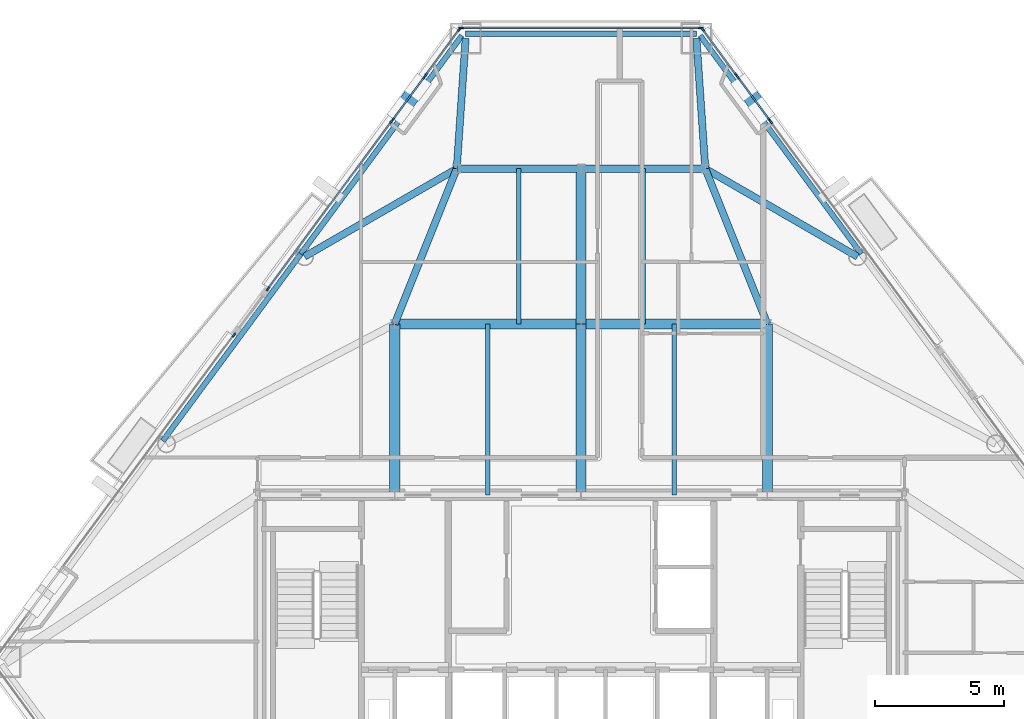
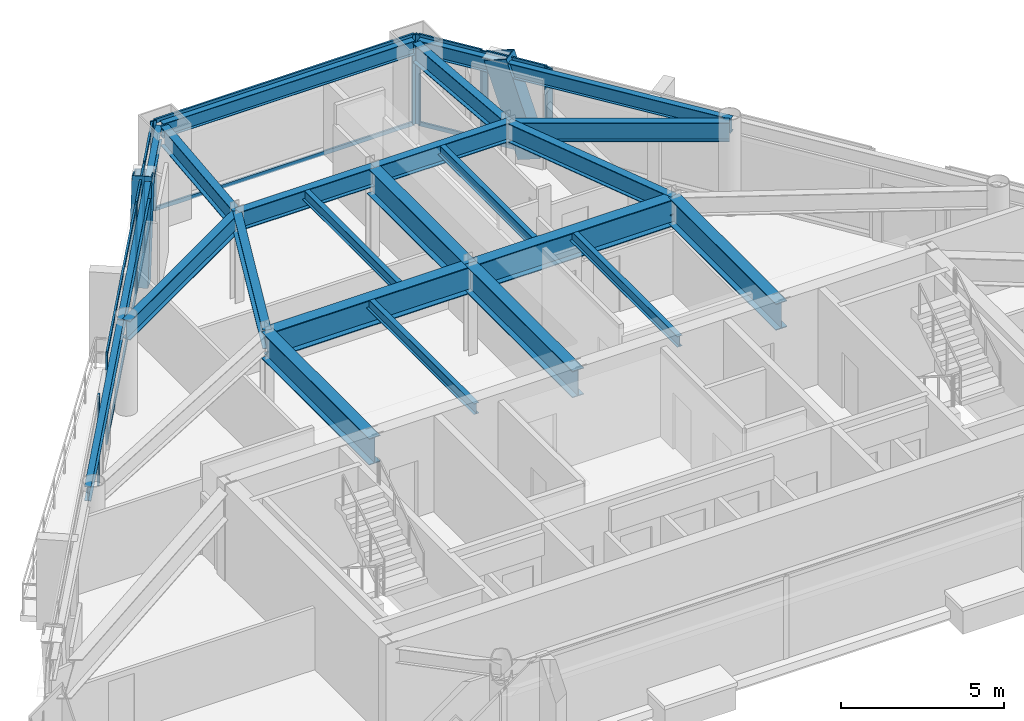
# One storey, part 4 of 11: 28 members, 22 beams, 8 elements without a shape of their own.
"""IFC4 building model written with IfcOpenShell, lengths in metres."""

from ifc_helpers import new_model, si_unit, direction, frame, origin, origin_2d, place, context, subcontext, project, spatial, rectangle, hollow_rectangle, i_section, extrude, material, layer, layer_set, material_profile, profile_set, type_object, element, aggregate, save


model = new_model("IFC4")

# Units and contexts
model_context = context("Model", 3, precision=1e-05, world=origin(), true_north=direction((0.0, 1.0)))
body_context = subcontext(model_context, "Body", "Model", "MODEL_VIEW")
ifc_project = project(units=[si_unit("LENGTHUNIT", "METRE"), si_unit("AREAUNIT", "SQUARE_METRE"), si_unit("VOLUMEUNIT", "CUBIC_METRE"), si_unit("PLANEANGLEUNIT", "RADIAN"), si_unit("MASSUNIT", "GRAM", prefix="KILO")], contexts=[model_context])

# Site, building, storey
site_placement = place(None, origin())
site = spatial("IfcSite", under=ifc_project, at=site_placement, CompositionType="ELEMENT")
building_placement = place(site_placement, origin())
building = spatial("IfcBuilding", under=site, at=building_placement, Name="Talgorran Terracotta Tower", CompositionType="ELEMENT")
storey_placement = place(building_placement, frame((0.0, 0.0, 161.699951171875)))
storey = spatial("IfcBuildingStorey", under=building, at=storey_placement, Name="L42", CompositionType="ELEMENT", Elevation=161.699951171875)

# Beams
ifc_material_1 = material(Name="Steel Grade 350 (350L0)", Category="steel")
ifc_material_profile_1 = material_profile(ifc_material_1, i_section(OverallWidth=0.39990234375, OverallDepth=1.0, WebThickness=0.01611328125, FlangeThickness=0.031005859375, at=origin_2d()), Name="1000WB296")
ifc_profile_set_1 = profile_set([ifc_material_profile_1], Name="Steel Grade 350 (350L0)")
beam_type_1 = type_object("IfcBeamType", Name="BM_1000WB296", PredefinedType="BEAM", material=ifc_profile_set_1)
for number, where, z_axis, x_axis, name in (
    (1, (-7.199951171875, -4.199951171875, 2.85009765625), (0.0, 1.0, 0.0), (-1.0, 0.0, 0.0), "L42 Floor Girder G01"),
    (2, (0.0, -4.199951171875, 2.85009765625), (0.0, 1.0, 0.0), (-1.0, 0.0, 0.0), "L42 Floor Girder G02"),
    (3, (7.199951171875, -4.199951171875, 2.85009765625), (0.0, 1.0, 0.0), (-1.0, 0.0, 0.0), "L42 Floor Girder G03"),
):
    element("IfcBeam", number, at=place(storey_placement, frame(where, z_axis=z_axis, x_axis=x_axis)), inside=storey, type_object=beam_type_1, Name=name, PredefinedType="BEAM", context=body_context, shape_type="SweptSolid", body=[
        extrude(i_section(OverallWidth=0.39990234375, OverallDepth=1.0, WebThickness=0.01611328125, FlangeThickness=0.031005859375, at=origin_2d()), origin(), (0.0, 0.0, 1.0), 6.599853515625),
    ])
for number, where, z_axis, x_axis, name in (
    (4, (-7.199951171875, 2.39990234375, 2.85009765625), (1.0, 0.0, 0.0), (0.0, 1.0, 0.0), "L42 Floor Girder G04"),
    (5, (0.0, 2.39990234375, 2.85009765625), (1.0, 0.0, 0.0), (0.0, 1.0, 0.0), "L42 Floor Girder G05"),
):
    element("IfcBeam", number, at=place(storey_placement, frame(where, z_axis=z_axis, x_axis=x_axis)), inside=storey, type_object=beam_type_1, Name=name, PredefinedType="BEAM", context=body_context, shape_type="SweptSolid", body=[
        extrude(i_section(OverallWidth=0.39990234375, OverallDepth=1.0, WebThickness=0.01611328125, FlangeThickness=0.031005859375, at=origin_2d()), origin(), (0.0, 0.0, 1.0), 7.199951171875),
    ])
beam_1_placement = place(storey_placement, frame((0.0, 2.39990234375, 2.85009765625), z_axis=(0.0, 1.0, 0.0), x_axis=(-1.0, 0.0, 0.0)))
element("IfcBeam", 6, at=beam_1_placement, inside=storey, type_object=beam_type_1, Name="L42 Floor Girder G09", PredefinedType="BEAM", context=body_context, shape_type="SweptSolid", body=[
    extrude(i_section(OverallWidth=0.39990234375, OverallDepth=1.0, WebThickness=0.01611328125, FlangeThickness=0.031005859375, at=origin_2d()), origin(), (0.0, 0.0, 1.0), 6.0),
])
ifc_material_2 = material(Name="Steel S355 (300PLUS)", Category="steel")
ifc_material_profile_2 = material_profile(ifc_material_2, i_section(OverallWidth=0.27490234375, OverallDepth=0.7080078125, WebThickness=0.011962890625, FlangeThickness=0.02490234375, at=origin_2d()), Name="700WB173")
ifc_profile_set_2 = profile_set([ifc_material_profile_2], Name="Steel S355 (300PLUS)")
beam_type_2 = type_object("IfcBeamType", Name="BM_700WB173", PredefinedType="BEAM", material=ifc_profile_set_2)
for number, where, z_axis, x_axis, name in (
    (7, (-7.199951171875, 2.39990234375, 2.99609375), (0.371377648723, 0.928481901832, 0.0), (-0.928481901832, 0.371377648723, 0.0), "L42 Floor Girder G08"),
    (8, (7.199951171875, 2.39990234375, 2.99609375), (-0.371377648723, 0.928481901832, 0.0), (-0.928481901832, -0.371377648723, 0.0), "L42 Floor Girder G10"),
):
    element("IfcBeam", number, at=place(storey_placement, frame(where, z_axis=z_axis, x_axis=x_axis)), inside=storey, type_object=beam_type_2, Name=name, PredefinedType="BEAM", context=body_context, shape_type="SweptSolid", body=[
        extrude(i_section(OverallWidth=0.27490234375, OverallDepth=0.7080078125, WebThickness=0.011962890625, FlangeThickness=0.02490234375, at=origin_2d()), origin(), (0.0, 0.0, 1.0), 6.462158203125),
    ])
for number, where, z_axis, x_axis, name in (
    (9, (-4.800048828125, 8.39990234375, 2.99609375), (1.0, 0.0, 0.0), (0.0, 1.0, 0.0), "L42 Floor Girder G11"),
    (10, (0.0, 8.39990234375, 2.99609375), (1.0, 0.0, 0.0), (0.0, 1.0, 0.0), "L42 Floor Girder G12"),
):
    element("IfcBeam", number, at=place(storey_placement, frame(where, z_axis=z_axis, x_axis=x_axis)), inside=storey, type_object=beam_type_2, Name=name, PredefinedType="BEAM", context=body_context, shape_type="SweptSolid", body=[
        extrude(i_section(OverallWidth=0.27490234375, OverallDepth=0.7080078125, WebThickness=0.011962890625, FlangeThickness=0.02490234375, at=origin_2d()), origin(), (0.0, 0.0, 1.0), 4.800048828125),
    ])
for number, where, z_axis, x_axis, name in (
    (11, (-4.800048828125, 8.39990234375, 2.99609375), (-0.865887916747, -0.500238058959, 0.0), (0.500238058959, -0.865887916747, 0.0), "L42 Floor Girder G13"),
    (12, (4.800048828125, 8.39990234375, 2.99609375), (0.865887916747, -0.500238058959, 0.0), (0.500238058959, 0.865887916747, 0.0), "L42 Floor Girder G14"),
):
    element("IfcBeam", number, at=place(storey_placement, frame(where, z_axis=z_axis, x_axis=x_axis)), inside=storey, type_object=beam_type_2, Name=name, PredefinedType="BEAM", context=body_context, shape_type="SweptSolid", body=[
        extrude(i_section(OverallWidth=0.27490234375, OverallDepth=0.7080078125, WebThickness=0.011962890625, FlangeThickness=0.02490234375, at=origin_2d()), origin(), (0.0, 0.0, 1.0), 6.789794921875),
    ])
for number, where, z_axis, x_axis, name in (
    (13, (-4.800048828125, 8.39990234375, 2.99609375), (0.067973543266, 0.99768712401, 0.0), (-0.99768712401, 0.067973543266, 0.0), "L42 Floor Girder G15"),
    (14, (4.800048828125, 8.39990234375, 2.99609375), (-0.067973543266, 0.99768712401, 0.0), (-0.99768712401, -0.067973543266, 0.0), "L42 Floor Girder G16"),
):
    element("IfcBeam", number, at=place(storey_placement, frame(where, z_axis=z_axis, x_axis=x_axis)), inside=storey, type_object=beam_type_2, Name=name, PredefinedType="BEAM", context=body_context, shape_type="SweptSolid", body=[
        extrude(i_section(OverallWidth=0.27490234375, OverallDepth=0.7080078125, WebThickness=0.011962890625, FlangeThickness=0.02490234375, at=origin_2d()), origin(), (0.0, 0.0, 1.0), 5.04638671875),
    ])
ifc_material_profile_3 = material_profile(ifc_material_2, i_section(OverallWidth=0.177734375, OverallDepth=0.406494140625, WebThickness=0.0078125, FlangeThickness=0.0126953125, at=origin_2d()), Name="410UB59.7")
ifc_profile_set_3 = profile_set([ifc_material_profile_3], Name="Steel S355 (300PLUS)")
beam_type_3 = type_object("IfcBeamType", Name="BM_JS_410UB60", PredefinedType="JOIST", material=ifc_profile_set_3)
for number, where, z_axis, x_axis, name in (
    (15, (-3.60009765625, -4.199951171875, 3.146728515625), (0.0, 1.0, 0.0), (-1.0, 0.0, 0.0), "L42 Secondary Joist J01"),
    (16, (3.60009765625, -4.199951171875, 3.146728515625), (0.0, 1.0, 0.0), (-1.0, 0.0, 0.0), "L42 Secondary Joist J02"),
):
    element("IfcBeam", number, at=place(storey_placement, frame(where, z_axis=z_axis, x_axis=x_axis)), inside=storey, type_object=beam_type_3, Name=name, PredefinedType="JOIST", context=body_context, shape_type="SweptSolid", body=[
        extrude(i_section(OverallWidth=0.177734375, OverallDepth=0.406494140625, WebThickness=0.0078125, FlangeThickness=0.0126953125, at=origin_2d()), origin(), (0.0, 0.0, 1.0), 6.599853515625),
    ])
for number, where, z_axis, x_axis, name in (
    (17, (-2.39990234375, 2.39990234375, 3.146728515625), (0.0, 1.0, 0.0), (-1.0, 0.0, 0.0), "L42 Secondary Joist J03"),
    (18, (2.39990234375, 2.39990234375, 3.146728515625), (0.0, 1.0, 0.0), (-1.0, 0.0, 0.0), "L42 Secondary Joist J04"),
):
    element("IfcBeam", number, at=place(storey_placement, frame(where, z_axis=z_axis, x_axis=x_axis)), inside=storey, type_object=beam_type_3, Name=name, PredefinedType="JOIST", context=body_context, shape_type="SweptSolid", body=[
        extrude(i_section(OverallWidth=0.177734375, OverallDepth=0.406494140625, WebThickness=0.0078125, FlangeThickness=0.0126953125, at=origin_2d()), origin(), (0.0, 0.0, 1.0), 6.0),
    ])
ifc_material_profile_4 = material_profile(ifc_material_2, i_section(OverallWidth=0.209228515625, OverallDepth=0.532958984375, WebThickness=0.01025390625, FlangeThickness=0.015625, at=origin_2d()), Name="530UB92.4")
ifc_profile_set_4 = profile_set([ifc_material_profile_4], Name="Steel S355 (300PLUS)")
beam_type_4 = type_object("IfcBeamType", Name="BM_SP_530UB92", PredefinedType="SPANDREL", material=ifc_profile_set_4)
beam_2_placement = place(storey_placement, frame((10.823974609375, 5.1103515625, 3.08349609375), z_axis=(-0.593801302641, 0.804611715663, 0.0), x_axis=(-0.804611715663, -0.593801302641, 0.0)))
element("IfcBeam", 19, at=beam_2_placement, inside=storey, type_object=beam_type_4, Name="L42 Perimeter Spandrel Beam FC4-MC5", PredefinedType="SPANDREL", context=body_context, shape_type="SweptSolid", body=[
    extrude(i_section(OverallWidth=0.209228515625, OverallDepth=0.532958984375, WebThickness=0.01025390625, FlangeThickness=0.015625, at=origin_2d()), origin(), (0.0, 0.0, 1.0), 10.478515625),
])
beam_3_placement = place(storey_placement, frame((4.45703125, 13.614501953125, 3.08349609375), z_axis=(-1.0, 0.0, 0.0), x_axis=(0.0, -1.0, 0.0)))
element("IfcBeam", 20, at=beam_3_placement, inside=storey, type_object=beam_type_4, Name="L42 Perimeter Spandrel Beam MC5-MC6", PredefinedType="SPANDREL", context=body_context, shape_type="SweptSolid", body=[
    extrude(i_section(OverallWidth=0.209228515625, OverallDepth=0.532958984375, WebThickness=0.01025390625, FlangeThickness=0.015625, at=origin_2d()), origin(), (0.0, 0.0, 1.0), 8.9140625),
])
beam_4_placement = place(storey_placement, frame((-4.601806640625, 13.54150390625, 3.08349609375), z_axis=(-0.593801302641, -0.804611715663, 0.0), x_axis=(0.804611715663, -0.593801302641, 0.0)))
element("IfcBeam", 21, at=beam_4_placement, inside=storey, type_object=beam_type_4, Name="L42 Perimeter Spandrel Beam MC6-FC5", PredefinedType="SPANDREL", context=body_context, shape_type="SweptSolid", body=[
    extrude(i_section(OverallWidth=0.209228515625, OverallDepth=0.532958984375, WebThickness=0.01025390625, FlangeThickness=0.015625, at=origin_2d()), origin(), (0.0, 0.0, 1.0), 10.478515625),
])
beam_5_placement = place(storey_placement, frame((-10.823974609375, 5.1103515625, 3.08349609375), z_axis=(-0.593775624387, -0.804630665513, 0.0), x_axis=(0.804630665513, -0.593775624387, 0.0)))
element("IfcBeam", 22, at=beam_5_placement, inside=storey, type_object=beam_type_4, Name="L42 Perimeter Spandrel Beam FC5-FC6", PredefinedType="SPANDREL", context=body_context, shape_type="SweptSolid", body=[
    extrude(i_section(OverallWidth=0.209228515625, OverallDepth=0.532958984375, WebThickness=0.01025390625, FlangeThickness=0.015625, at=origin_2d()), origin(), (0.0, 0.0, 1.0), 8.9814453125),
])

# Members
ifc_material_profile_5 = material_profile(ifc_material_1, hollow_rectangle(XDim=0.6201171875, YDim=0.780029296875, WallThickness=0.0419921875, at=origin_2d()), Name="WBOX780X620X42")
ifc_profile_set_5 = profile_set([ifc_material_profile_5], Name="Steel Grade 350 (350L0)")
member_type_1 = type_object("IfcMemberType", Name="MB_MEGA_780", PredefinedType="BRACE", material=ifc_profile_set_5)
for number, where, z_axis, x_axis, name in (
    (23, (6.96630859375, 10.640625, -0.02490234375), (-0.186461226147, 0.252660074625, 0.949418294449), (-0.804613596001, -0.593798754739, 0.0), "L42 Exterior Face Mega-Brace MB-2 (NEU)"),
    (24, (-6.96630859375, 10.640625, -0.02490234375), (0.186461226147, 0.252660074625, 0.949418294449), (-0.804613596001, 0.593798754739, 0.0), "L42 Exterior Face Mega-Brace MB-2 (NWU)"),
):
    element("IfcMember", number, at=place(storey_placement, frame(where, z_axis=z_axis, x_axis=x_axis)), inside=storey, type_object=member_type_1, Name=name, PredefinedType="BRACE", context=body_context, shape_type="SweptSolid", body=[
        extrude(hollow_rectangle(XDim=0.6201171875, YDim=0.780029296875, WallThickness=0.0419921875, at=origin_2d()), origin(), (0.0, 0.0, 1.0), 3.5810546875),
    ])

# Curtain wall, member
ifc_material_3 = material(Name="Unitised Low-E Double Glazing", Category="glass")
ifc_layer = layer(ifc_material_3, 0.199951171875, Name="CW_SYS2_RES_LOW")
ifc_layer_set = layer_set([ifc_layer], Name="Unitised Low-E Double Glazing")
curtain_wall_type = type_object("IfcCurtainWallType", Name="CW_SYS2_RES_LOW", PredefinedType="NOTDEFINED", material=ifc_layer_set)
curtain_wall_1_placement = place(storey_placement, origin())
curtain_wall_1 = element("IfcCurtainWall", 25, at=curtain_wall_1_placement, inside=storey, type_object=curtain_wall_type, Name="CW-L42-F41", PredefinedType="NOTDEFINED")
ifc_material_4 = material(Name="Architectural Aluminium 6063-T6", Category="aluminium")
ifc_material_profile_6 = material_profile(ifc_material_4, rectangle(XDim=0.06494140625, YDim=0.18505859375, at=origin_2d()), Name="CWM65X185")
ifc_profile_set_6 = profile_set([ifc_material_profile_6], Name="Architectural Aluminium 6063-T6")
member_type_2 = type_object("IfcMemberType", Name="MUL_65X185", PredefinedType="MULLION", material=ifc_profile_set_6)
member_1_placement = place(storey_placement, frame((7.32958984375, 10.215576171875, 0.0), z_axis=(0.0, 0.0, 1.0), x_axis=(-0.804623873719, -0.593784827898, 0.0)))
member_1 = element("IfcMember", 26, at=member_1_placement, type_object=member_type_2, Name="CW-L42-41 mullion 2", PredefinedType="MULLION", context=body_context, shape_type="SweptSolid", body=[
    extrude(rectangle(XDim=0.06494140625, YDim=0.18505859375, at=origin_2d()), origin(), (0.0, 0.0, 1.0), 3.35009765625),
])
aggregate(curtain_wall_1, [member_1])

# Curtain wall, members
curtain_wall_2_placement = place(storey_placement, origin())
curtain_wall_2 = element("IfcCurtainWall", 27, at=curtain_wall_2_placement, inside=storey, type_object=curtain_wall_type, Name="CW-L42-F41B", PredefinedType="NOTDEFINED")
member_2_placement = place(storey_placement, frame((7.28515625, 10.27587890625, 0.0), z_axis=(0.0, 0.0, 1.0), x_axis=(-0.804614726694, -0.593797222616, 0.0)))
member_2 = element("IfcMember", 28, at=member_2_placement, type_object=member_type_2, Name="CW-L42-41B mullion 1", PredefinedType="MULLION", context=body_context, shape_type="SweptSolid", body=[
    extrude(rectangle(XDim=0.06494140625, YDim=0.18505859375, at=origin_2d()), origin(), (0.0, 0.0, 1.0), 3.35009765625),
])
member_3_placement = place(storey_placement, frame((6.044189453125, 11.95751953125, 0.0), z_axis=(0.0, 0.0, 1.0), x_axis=(-0.804614726694, -0.593797222616, 0.0)))
member_3 = element("IfcMember", 29, at=member_3_placement, type_object=member_type_2, Name="CW-L42-41B mullion 2", PredefinedType="MULLION", context=body_context, shape_type="SweptSolid", body=[
    extrude(rectangle(XDim=0.06494140625, YDim=0.18505859375, at=origin_2d()), origin(), (0.0, 0.0, 1.0), 3.35009765625),
])

curtain_wall_3_placement = place(storey_placement, origin())
curtain_wall_3 = element("IfcCurtainWall", 30, at=curtain_wall_3_placement, inside=storey, type_object=curtain_wall_type, Name="CW-L42-F41C", PredefinedType="NOTDEFINED")
member_4_placement = place(storey_placement, frame((5.999755859375, 12.017822265625, 0.0), z_axis=(0.0, 0.0, 1.0), x_axis=(-0.804631200569, -0.593774899327, 0.0)))
member_4 = element("IfcMember", 31, at=member_4_placement, type_object=member_type_2, Name="CW-L42-41C mullion 1", PredefinedType="MULLION", context=body_context, shape_type="SweptSolid", body=[
    extrude(rectangle(XDim=0.06494140625, YDim=0.18505859375, at=origin_2d()), origin(), (0.0, 0.0, 1.0), 3.35009765625),
])
member_5_placement = place(storey_placement, frame((4.7021484375, 13.7763671875, 0.0), z_axis=(0.0, 0.0, 1.0), x_axis=(-0.804631200569, -0.593774899327, 0.0)))
member_5 = element("IfcMember", 32, at=member_5_placement, type_object=member_type_2, Name="CW-L42-41C mullion 2", PredefinedType="MULLION", context=body_context, shape_type="SweptSolid", body=[
    extrude(rectangle(XDim=0.06494140625, YDim=0.18505859375, at=origin_2d()), origin(), (0.0, 0.0, 1.0), 3.35009765625),
])

curtain_wall_4_placement = place(storey_placement, origin())
curtain_wall_4 = element("IfcCurtainWall", 33, at=curtain_wall_4_placement, inside=storey, type_object=curtain_wall_type, Name="CW-L42-F4", PredefinedType="NOTDEFINED")
member_6_placement = place(storey_placement, frame((4.62646484375, 13.834716796875, 0.0), z_axis=(0.0, 0.0, 1.0), x_axis=(0.0, -1.0, 0.0)))
member_6 = element("IfcMember", 34, at=member_6_placement, type_object=member_type_2, Name="CW-L42-4 mullion 1", PredefinedType="MULLION", context=body_context, shape_type="SweptSolid", body=[
    extrude(rectangle(XDim=0.06494140625, YDim=0.18505859375, at=origin_2d()), origin(), (0.0, 0.0, 1.0), 3.35009765625),
])
member_7_placement = place(storey_placement, frame((-4.62646484375, 13.834716796875, 0.0), z_axis=(0.0, 0.0, 1.0), x_axis=(0.0, -1.0, 0.0)))
member_7 = element("IfcMember", 35, at=member_7_placement, type_object=member_type_2, Name="CW-L42-4 mullion 2", PredefinedType="MULLION", context=body_context, shape_type="SweptSolid", body=[
    extrude(rectangle(XDim=0.06494140625, YDim=0.18505859375, at=origin_2d()), origin(), (0.0, 0.0, 1.0), 3.35009765625),
])

curtain_wall_5_placement = place(storey_placement, origin())
curtain_wall_5 = element("IfcCurtainWall", 36, at=curtain_wall_5_placement, inside=storey, type_object=curtain_wall_type, Name="CW-L42-F60", PredefinedType="NOTDEFINED")
member_8_placement = place(storey_placement, frame((-4.7021484375, 13.7763671875, 0.0), z_axis=(0.0, 0.0, 1.0), x_axis=(0.804631200569, -0.593774899327, 0.0)))
member_8 = element("IfcMember", 37, at=member_8_placement, type_object=member_type_2, Name="CW-L42-60 mullion 1", PredefinedType="MULLION", context=body_context, shape_type="SweptSolid", body=[
    extrude(rectangle(XDim=0.06494140625, YDim=0.18505859375, at=origin_2d()), origin(), (0.0, 0.0, 1.0), 3.35009765625),
])
member_9_placement = place(storey_placement, frame((-5.999755859375, 12.017822265625, 0.0), z_axis=(0.0, 0.0, 1.0), x_axis=(0.804631200569, -0.593774899327, 0.0)))
member_9 = element("IfcMember", 38, at=member_9_placement, type_object=member_type_2, Name="CW-L42-60 mullion 2", PredefinedType="MULLION", context=body_context, shape_type="SweptSolid", body=[
    extrude(rectangle(XDim=0.06494140625, YDim=0.18505859375, at=origin_2d()), origin(), (0.0, 0.0, 1.0), 3.35009765625),
])

curtain_wall_6_placement = place(storey_placement, origin())
curtain_wall_6 = element("IfcCurtainWall", 39, at=curtain_wall_6_placement, inside=storey, type_object=curtain_wall_type, Name="CW-L42-F60B", PredefinedType="NOTDEFINED")
member_10_placement = place(storey_placement, frame((-6.044189453125, 11.95751953125, 0.0), z_axis=(0.0, 0.0, 1.0), x_axis=(0.804614726694, -0.593797222616, 0.0)))
member_10 = element("IfcMember", 40, at=member_10_placement, type_object=member_type_2, Name="CW-L42-60B mullion 1", PredefinedType="MULLION", context=body_context, shape_type="SweptSolid", body=[
    extrude(rectangle(XDim=0.06494140625, YDim=0.18505859375, at=origin_2d()), origin(), (0.0, 0.0, 1.0), 3.35009765625),
])
member_11_placement = place(storey_placement, frame((-7.28515625, 10.27587890625, 0.0), z_axis=(0.0, 0.0, 1.0), x_axis=(0.804614726694, -0.593797222616, 0.0)))
member_11 = element("IfcMember", 41, at=member_11_placement, type_object=member_type_2, Name="CW-L42-60B mullion 2", PredefinedType="MULLION", context=body_context, shape_type="SweptSolid", body=[
    extrude(rectangle(XDim=0.06494140625, YDim=0.18505859375, at=origin_2d()), origin(), (0.0, 0.0, 1.0), 3.35009765625),
])

curtain_wall_7_placement = place(storey_placement, origin())
curtain_wall_7 = element("IfcCurtainWall", 42, at=curtain_wall_7_placement, inside=storey, type_object=curtain_wall_type, Name="CW-L42-F60C", PredefinedType="NOTDEFINED")
member_12_placement = place(storey_placement, frame((-7.32958984375, 10.215576171875, 0.0), z_axis=(0.0, 0.0, 1.0), x_axis=(0.804623626777, -0.593785162523, 0.0)))
member_12 = element("IfcMember", 43, at=member_12_placement, type_object=member_type_2, Name="CW-L42-60C mullion 1", PredefinedType="MULLION", context=body_context, shape_type="SweptSolid", body=[
    extrude(rectangle(XDim=0.06494140625, YDim=0.18505859375, at=origin_2d()), origin(), (0.0, 0.0, 1.0), 3.35009765625),
])
member_13_placement = place(storey_placement, frame((-12.08984375, 3.765380859375, 0.0), z_axis=(0.0, 0.0, 1.0), x_axis=(0.804623626777, -0.593785162523, 0.0)))
member_13 = element("IfcMember", 44, at=member_13_placement, type_object=member_type_2, Name="CW-L42-60C mullion 2", PredefinedType="MULLION", context=body_context, shape_type="SweptSolid", body=[
    extrude(rectangle(XDim=0.06494140625, YDim=0.18505859375, at=origin_2d()), origin(), (0.0, 0.0, 1.0), 3.35009765625),
])

# Curtain wall, member
curtain_wall_8_placement = place(storey_placement, origin())
curtain_wall_8 = element("IfcCurtainWall", 45, at=curtain_wall_8_placement, inside=storey, type_object=curtain_wall_type, Name="CW-L42-F61", PredefinedType="NOTDEFINED")
member_14_placement = place(storey_placement, frame((-13.410888671875, 1.97509765625, 0.0), z_axis=(0.0, 0.0, 1.0), x_axis=(0.804624819522, -0.59378354626, 0.0)))
member_14 = element("IfcMember", 46, at=member_14_placement, type_object=member_type_2, Name="CW-L42-61 mullion 1", PredefinedType="MULLION", context=body_context, shape_type="SweptSolid", body=[
    extrude(rectangle(XDim=0.06494140625, YDim=0.18505859375, at=origin_2d()), origin(), (0.0, 0.0, 1.0), 3.35009765625),
])
aggregate(curtain_wall_8, [member_14])

# Member
ifc_material_profile_7 = material_profile(ifc_material_4, rectangle(XDim=0.06494140625, YDim=0.14990234375, at=origin_2d()), Name="CWT65X150")
ifc_profile_set_7 = profile_set([ifc_material_profile_7], Name="Architectural Aluminium 6063-T6")
member_type_3 = type_object("IfcMemberType", Name="TRN_65X150", PredefinedType="USERDEFINED", material=ifc_profile_set_7)
member_15_placement = place(storey_placement, frame((7.265869140625, 10.302001953125, 0.032470703125), z_axis=(-0.593770532456, 0.804634423068, 0.0), x_axis=(-0.804634423068, -0.593770532456, 0.0)))
member_15 = element("IfcMember", 47, at=member_15_placement, type_object=member_type_3, Name="CW-L42-41B transom 1.1", ObjectType="TRANSOM", PredefinedType="USERDEFINED", context=body_context, shape_type="SweptSolid", body=[
    extrude(rectangle(XDim=0.06494140625, YDim=0.14990234375, at=origin_2d()), origin(), (0.0, 0.0, 1.0), 2.02490234375),
])

member_16_placement = place(storey_placement, frame((7.265869140625, 10.302001953125, 3.317626953125), z_axis=(-0.593770532456, 0.804634423068, 0.0), x_axis=(-0.804634423068, -0.593770532456, 0.0)))
member_16 = element("IfcMember", 48, at=member_16_placement, type_object=member_type_3, Name="CW-L42-41B transom 1.2", ObjectType="TRANSOM", PredefinedType="USERDEFINED", context=body_context, shape_type="SweptSolid", body=[
    extrude(rectangle(XDim=0.06494140625, YDim=0.14990234375, at=origin_2d()), origin(), (0.0, 0.0, 1.0), 2.02490234375),
])

aggregate(curtain_wall_2, [member_2, member_3, member_15, member_16])

member_17_placement = place(storey_placement, frame((5.98046875, 12.0439453125, 0.032470703125), z_axis=(-0.59379195606, 0.804618613331, 0.0), x_axis=(-0.804618613331, -0.59379195606, 0.0)))
member_17 = element("IfcMember", 49, at=member_17_placement, type_object=member_type_3, Name="CW-L42-41C transom 1.1", ObjectType="TRANSOM", PredefinedType="USERDEFINED", context=body_context, shape_type="SweptSolid", body=[
    extrude(rectangle(XDim=0.06494140625, YDim=0.14990234375, at=origin_2d()), origin(), (0.0, 0.0, 1.0), 2.120361328125),
])

member_18_placement = place(storey_placement, frame((5.98046875, 12.0439453125, 3.317626953125), z_axis=(-0.59379195606, 0.804618613331, 0.0), x_axis=(-0.804618613331, -0.59379195606, 0.0)))
member_18 = element("IfcMember", 50, at=member_18_placement, type_object=member_type_3, Name="CW-L42-41C transom 1.2", ObjectType="TRANSOM", PredefinedType="USERDEFINED", context=body_context, shape_type="SweptSolid", body=[
    extrude(rectangle(XDim=0.06494140625, YDim=0.14990234375, at=origin_2d()), origin(), (0.0, 0.0, 1.0), 2.120361328125),
])

aggregate(curtain_wall_3, [member_4, member_5, member_17, member_18])

member_19_placement = place(storey_placement, frame((4.593994140625, 13.834716796875, 0.032470703125), z_axis=(-1.0, 0.0, 0.0), x_axis=(0.0, -1.0, 0.0)))
member_19 = element("IfcMember", 51, at=member_19_placement, type_object=member_type_3, Name="CW-L42-4 transom 1.1", ObjectType="TRANSOM", PredefinedType="USERDEFINED", context=body_context, shape_type="SweptSolid", body=[
    extrude(rectangle(XDim=0.06494140625, YDim=0.14990234375, at=origin_2d()), origin(), (0.0, 0.0, 1.0), 9.18798828125),
])

member_20_placement = place(storey_placement, frame((4.593994140625, 13.834716796875, 3.317626953125), z_axis=(-1.0, 0.0, 0.0), x_axis=(0.0, -1.0, 0.0)))
member_20 = element("IfcMember", 52, at=member_20_placement, type_object=member_type_3, Name="CW-L42-4 transom 1.2", ObjectType="TRANSOM", PredefinedType="USERDEFINED", context=body_context, shape_type="SweptSolid", body=[
    extrude(rectangle(XDim=0.06494140625, YDim=0.14990234375, at=origin_2d()), origin(), (0.0, 0.0, 1.0), 9.18798828125),
])

aggregate(curtain_wall_4, [member_6, member_7, member_19, member_20])

member_21_placement = place(storey_placement, frame((-4.721435546875, 13.75, 0.032470703125), z_axis=(-0.59379195606, -0.804618613331, 0.0), x_axis=(0.804618613331, -0.59379195606, 0.0)))
member_21 = element("IfcMember", 53, at=member_21_placement, type_object=member_type_3, Name="CW-L42-60 transom 1.1", ObjectType="TRANSOM", PredefinedType="USERDEFINED", context=body_context, shape_type="SweptSolid", body=[
    extrude(rectangle(XDim=0.06494140625, YDim=0.14990234375, at=origin_2d()), origin(), (0.0, 0.0, 1.0), 2.120361328125),
])

member_22_placement = place(storey_placement, frame((-4.721435546875, 13.75, 3.317626953125), z_axis=(-0.59379195606, -0.804618613331, 0.0), x_axis=(0.804618613331, -0.59379195606, 0.0)))
member_22 = element("IfcMember", 54, at=member_22_placement, type_object=member_type_3, Name="CW-L42-60 transom 1.2", ObjectType="TRANSOM", PredefinedType="USERDEFINED", context=body_context, shape_type="SweptSolid", body=[
    extrude(rectangle(XDim=0.06494140625, YDim=0.14990234375, at=origin_2d()), origin(), (0.0, 0.0, 1.0), 2.120361328125),
])

aggregate(curtain_wall_5, [member_8, member_9, member_21, member_22])

member_23_placement = place(storey_placement, frame((-6.0634765625, 11.931396484375, 0.032470703125), z_axis=(-0.593770532456, -0.804634423068, 0.0), x_axis=(0.804634423068, -0.593770532456, 0.0)))
member_23 = element("IfcMember", 55, at=member_23_placement, type_object=member_type_3, Name="CW-L42-60B transom 1.1", ObjectType="TRANSOM", PredefinedType="USERDEFINED", context=body_context, shape_type="SweptSolid", body=[
    extrude(rectangle(XDim=0.06494140625, YDim=0.14990234375, at=origin_2d()), origin(), (0.0, 0.0, 1.0), 2.02490234375),
])

member_24_placement = place(storey_placement, frame((-6.0634765625, 11.931396484375, 3.317626953125), z_axis=(-0.593770532456, -0.804634423068, 0.0), x_axis=(0.804634423068, -0.593770532456, 0.0)))
member_24 = element("IfcMember", 56, at=member_24_placement, type_object=member_type_3, Name="CW-L42-60B transom 1.2", ObjectType="TRANSOM", PredefinedType="USERDEFINED", context=body_context, shape_type="SweptSolid", body=[
    extrude(rectangle(XDim=0.06494140625, YDim=0.14990234375, at=origin_2d()), origin(), (0.0, 0.0, 1.0), 2.02490234375),
])

aggregate(curtain_wall_6, [member_10, member_11, member_23, member_24])

member_25_placement = place(storey_placement, frame((-7.348876953125, 10.189453125, 0.032470703125), z_axis=(-0.593802133788, -0.804611102278, 0.0), x_axis=(0.804611102278, -0.593802133788, 0.0)))
member_25 = element("IfcMember", 57, at=member_25_placement, type_object=member_type_3, Name="CW-L42-60C transom 1.1", ObjectType="TRANSOM", PredefinedType="USERDEFINED", context=body_context, shape_type="SweptSolid", body=[
    extrude(rectangle(XDim=0.06494140625, YDim=0.14990234375, at=origin_2d()), origin(), (0.0, 0.0, 1.0), 7.95166015625),
])

member_26_placement = place(storey_placement, frame((-7.348876953125, 10.189453125, 3.317626953125), z_axis=(-0.593802133788, -0.804611102278, 0.0), x_axis=(0.804611102278, -0.593802133788, 0.0)))
member_26 = element("IfcMember", 58, at=member_26_placement, type_object=member_type_3, Name="CW-L42-60C transom 1.2", ObjectType="TRANSOM", PredefinedType="USERDEFINED", context=body_context, shape_type="SweptSolid", body=[
    extrude(rectangle(XDim=0.06494140625, YDim=0.14990234375, at=origin_2d()), origin(), (0.0, 0.0, 1.0), 7.95166015625),
])

aggregate(curtain_wall_7, [member_12, member_13, member_25, member_26])

save(model, "model.ifc")
